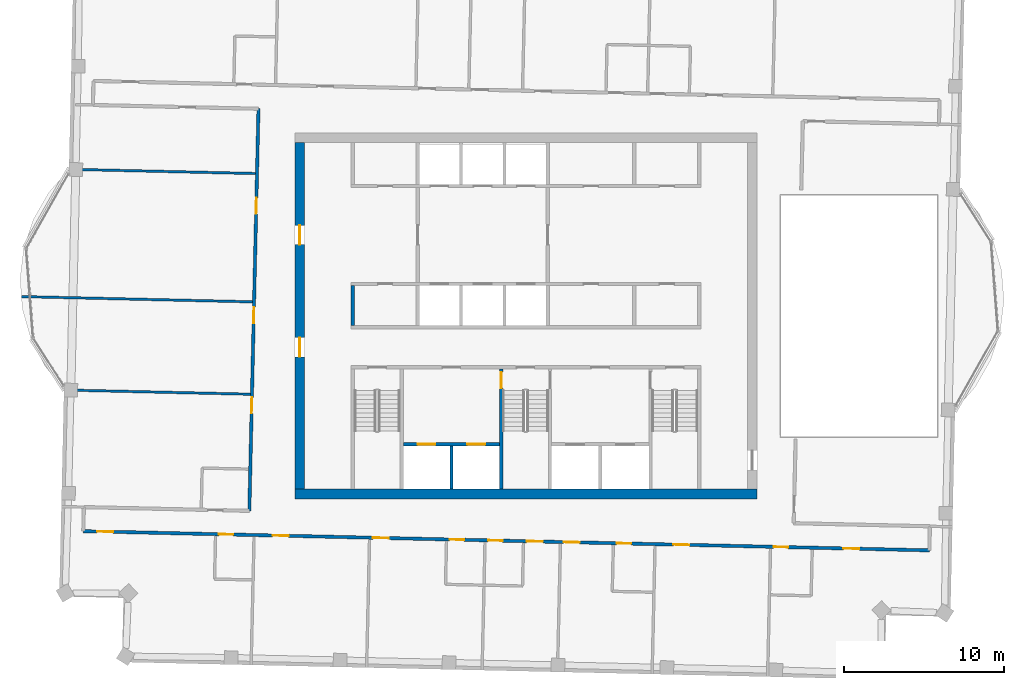
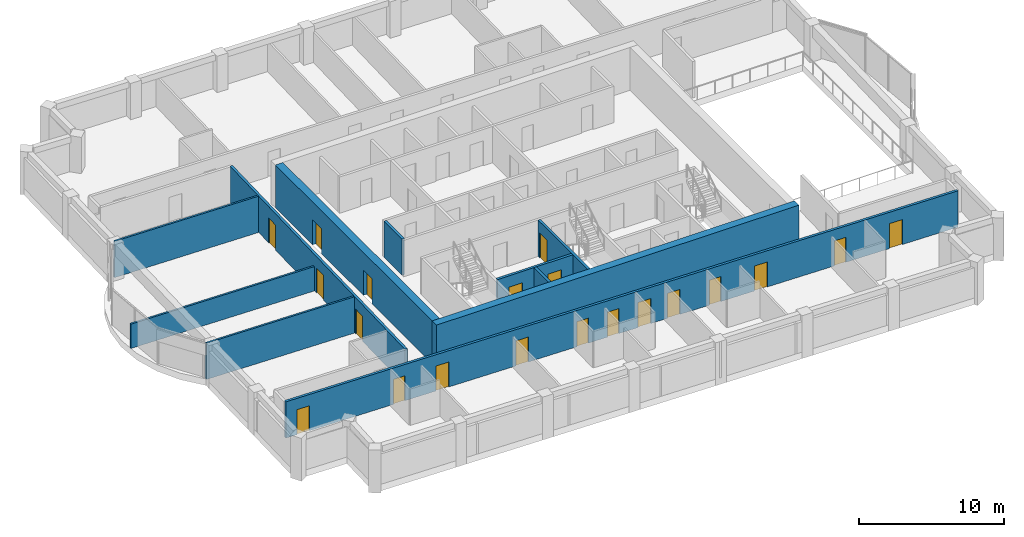
# One storey, part 6 of 11: 20 doors, 11 walls, 20 openings.
"""IFC4 building model written with IfcOpenShell, lengths in metres."""

from ifc_helpers import new_model, si_unit, direction, frame, frame_2d, origin, place, context, subcontext, project, spatial, rectangle, extrude, material, layer, layer_set, type_object, element, fill, save


model = new_model("IFC4")

# Units and contexts
model_context = context("Model", 3, precision=1e-05, world=origin(), true_north=direction((0.0, 1.0)))
body_context = subcontext(model_context, "Body", "Model", "MODEL_VIEW")
ifc_project = project(units=[si_unit("LENGTHUNIT", "METRE"), si_unit("AREAUNIT", "SQUARE_METRE"), si_unit("VOLUMEUNIT", "CUBIC_METRE"), si_unit("PLANEANGLEUNIT", "RADIAN"), si_unit("MASSUNIT", "GRAM", prefix="KILO")], contexts=[model_context])

# Site, building, storey
site_placement = place(None, origin())
site = spatial("IfcSite", under=ifc_project, at=site_placement, CompositionType="ELEMENT")
building_placement = place(site_placement, origin())
building = spatial("IfcBuilding", under=site, at=building_placement, Name="Mangrove Gate Tower", CompositionType="ELEMENT")
storey_placement = place(building_placement, frame((0.0, 0.0, 334.300048828125)))
storey = spatial("IfcBuildingStorey", under=building, at=storey_placement, Name="L85", CompositionType="ELEMENT", Elevation=334.300048828125)

# Wall
ifc_material_1 = material(Name="Concrete C32/40", Category="concrete")
ifc_layer_1 = layer(ifc_material_1, 0.199951171875)
ifc_layer_set_1 = layer_set([ifc_layer_1], Name="Core room wall 200 C32/40")
wall_type_1 = type_object("IfcWallType", Name="Core room wall 200 C32/40", PredefinedType="STANDARD", material=ifc_layer_set_1)
wall_1_placement = place(storey_placement, frame((-10.800048828125, -0.60009765625, 0.0), z_axis=(0.0, 0.0, 1.0), x_axis=(0.0, 1.0, 0.0)))
element("IfcWall", 1, at=wall_1_placement, inside=storey, type_object=wall_type_1, Name="WALL-L85-CORE-19", PredefinedType="STANDARD", context=body_context, shape_type="SweptSolid", body=[
    extrude(rectangle(XDim=2.5, YDim=0.199951171875, at=frame_2d((1.25, 0.0))), origin(), (0.0, 0.0, 1.0), 3.050048828125),
])

# Wall, openings, doors
ifc_material_2 = material(Name="Concrete C50/60", Category="concrete")
ifc_layer_2 = layer(ifc_material_2, 0.199951171875)
ifc_layer_set_2 = layer_set([ifc_layer_2], Name="Core shaft wall 200 C50/60")
wall_type_2 = type_object("IfcWallType", Name="Core shaft wall 200 C50/60", PredefinedType="SHEAR", material=ifc_layer_set_2)
wall_2_placement = place(storey_placement, frame((-7.64990234375, -8.0, 0.0), z_axis=(0.0, 0.0, 1.0), x_axis=(1.0, 0.0, 0.0)))
wall_2 = element("IfcWall", 2, at=wall_2_placement, inside=storey, type_object=wall_type_2, Name="WALL-L85-CORE-15", PredefinedType="SHEAR", context=body_context, shape_type="SweptSolid", body=[
    extrude(rectangle(XDim=6.0, YDim=0.199951171875, at=frame_2d((3.0, 0.0))), origin(), (0.0, 0.0, 1.0), 3.050048828125),
])
opening_1_placement = place(wall_2_placement, frame((0.89990234375, 0.0, 0.0)))
opening_1 = element("IfcOpeningElement", 3, at=opening_1_placement, cuts=wall_2, Name="Opening LD", PredefinedType="OPENING", context=body_context, shape_type="SweptSolid", body=[
    extrude(rectangle(XDim=1.10009765625, YDim=2.10009765625, at=frame_2d((0.550048828125, 1.050048828125))), frame((0.0, 0.10986328125, 0.0), z_axis=(0.0, -1.0, 0.0), x_axis=(1.0, 0.0, 0.0)), (0.0, 0.0, 1.0), 0.219970703125),
])
opening_2_placement = place(wall_2_placement, frame((4.0, 0.0, 0.0)))
opening_2 = element("IfcOpeningElement", 4, at=opening_2_placement, cuts=wall_2, Name="Opening LD", PredefinedType="OPENING", context=body_context, shape_type="SweptSolid", body=[
    extrude(rectangle(XDim=1.10009765625, YDim=2.10009765625, at=frame_2d((0.550048828125, 1.050048828125))), frame((0.0, 0.10986328125, 0.0), z_axis=(0.0, -1.0, 0.0), x_axis=(1.0, 0.0, 0.0)), (0.0, 0.0, 1.0), 0.219970703125),
])
ifc_material_3 = material(Name="Stainless steel 316", Category="steel")
door_type_1 = type_object("IfcDoorType", Name="Lift landing door 1100x2100", OperationType="SLIDING_TO_LEFT", PredefinedType="DOOR", material=ifc_material_3)
door_1_placement = place(opening_1_placement, origin())
door_1 = element("IfcDoor", 5, at=door_1_placement, inside=storey, type_object=door_type_1, Name="Landing door LD SVL1", OperationType="SLIDING_TO_LEFT", OverallHeight=2.10009765625, OverallWidth=1.10009765625, PredefinedType="DOOR", context=body_context, shape_type="SweptSolid", body=[
    extrude(rectangle(XDim=1.10009765625, YDim=2.10009765625, at=frame_2d((0.550048828125, 1.050048828125))), frame((0.0, 0.02490234375, 0.0), z_axis=(0.0, -1.0, 0.0), x_axis=(1.0, 0.0, 0.0)), (0.0, 0.0, 1.0), 0.050048828125),
])
fill(opening_1, door_1)
door_2_placement = place(opening_2_placement, origin())
door_2 = element("IfcDoor", 6, at=door_2_placement, inside=storey, type_object=door_type_1, Name="Landing door LD SVL2", OperationType="SLIDING_TO_LEFT", OverallHeight=2.10009765625, OverallWidth=1.10009765625, PredefinedType="DOOR", context=body_context, shape_type="SweptSolid", body=[
    extrude(rectangle(XDim=1.10009765625, YDim=2.10009765625, at=frame_2d((0.550048828125, 1.050048828125))), frame((0.0, 0.02490234375, 0.0), z_axis=(0.0, -1.0, 0.0), x_axis=(1.0, 0.0, 0.0)), (0.0, 0.0, 1.0), 0.050048828125),
])
fill(opening_2, door_2)

# Wall
wall_3_placement = place(storey_placement, frame((-4.64990234375, -10.800048828125, 0.0), z_axis=(0.0, 0.0, 1.0), x_axis=(0.0, 1.0, 0.0)))
element("IfcWall", 7, at=wall_3_placement, inside=storey, type_object=wall_type_2, Name="WALL-L85-CORE-16", PredefinedType="SHEAR", context=body_context, shape_type="SweptSolid", body=[
    extrude(rectangle(XDim=2.699951171875, YDim=0.199951171875, at=frame_2d((1.35009765625, 0.0))), origin(), (0.0, 0.0, 1.0), 3.050048828125),
])

# Wall, opening, door
ifc_material_4 = material(Name="Concrete C50/60", Category="concrete")
ifc_layer_3 = layer(ifc_material_4, 0.199951171875)
ifc_layer_set_3 = layer_set([ifc_layer_3], Name="Core stair wall 200 C50/60")
wall_type_3 = type_object("IfcWallType", Name="Core stair wall 200 C50/60", PredefinedType="SHEAR", material=ifc_layer_set_3)
wall_4_placement = place(storey_placement, frame((-1.550048828125, -10.800048828125, 0.0), z_axis=(0.0, 0.0, 1.0), x_axis=(0.0, 1.0, 0.0)))
wall_4 = element("IfcWall", 8, at=wall_4_placement, inside=storey, type_object=wall_type_3, Name="WALL-L85-CORE-11", PredefinedType="SHEAR", context=body_context, shape_type="SweptSolid", body=[
    extrude(rectangle(XDim=7.5, YDim=0.199951171875, at=frame_2d((3.75, 0.0))), origin(), (0.0, 0.0, 1.0), 3.050048828125),
])
opening_3_placement = place(wall_4_placement, frame((6.300048828125, 0.0, 0.0)))
opening_3 = element("IfcOpeningElement", 9, at=opening_3_placement, cuts=wall_4, Name="Opening STD10", PredefinedType="OPENING", context=body_context, shape_type="SweptSolid", body=[
    extrude(rectangle(XDim=1.0, YDim=2.10009765625, at=frame_2d((0.5, 1.050048828125))), frame((0.0, 0.10986328125, 0.0), z_axis=(0.0, -1.0, 0.0), x_axis=(1.0, 0.0, 0.0)), (0.0, 0.0, 1.0), 0.219970703125),
])
ifc_material_5 = material(Name="Fire-rated steel door set", Category="steel")
door_type_2 = type_object("IfcDoorType", Name="Stair door FD60 1000x2100", OperationType="SINGLE_SWING_RIGHT", PredefinedType="DOOR", material=ifc_material_5)
door_3_placement = place(opening_3_placement, origin())
door_3 = element("IfcDoor", 10, at=door_3_placement, inside=storey, type_object=door_type_2, Name="Stair door Stair 2 from service lobby", OperationType="SINGLE_SWING_RIGHT", OverallHeight=2.10009765625, OverallWidth=1.0, PredefinedType="DOOR", context=body_context, shape_type="SweptSolid", body=[
    extrude(rectangle(XDim=1.0, YDim=2.10009765625, at=frame_2d((0.5, 1.050048828125))), frame((0.0, 0.02490234375, 0.0), z_axis=(0.0, -1.0, 0.0), x_axis=(1.0, 0.0, 0.0)), (0.0, 0.0, 1.0), 0.050048828125),
])
fill(opening_3, door_3)

# Wall
ifc_material_6 = material(Name="Concrete C50/60", Category="concrete")
ifc_layer_4 = layer(ifc_material_6, 0.60009765625)
ifc_layer_set_4 = layer_set([ifc_layer_4], Name="Core wall 600 C50/60")
wall_type_4 = type_object("IfcWallType", Name="Core wall 600 C50/60", PredefinedType="SHEAR", material=ifc_layer_set_4)
wall_5_placement = place(storey_placement, frame((-14.39990234375, -11.10009765625, 0.0), z_axis=(0.0, 0.0, 1.0), x_axis=(1.0, 0.0, 0.0)))
element("IfcWall", 11, at=wall_5_placement, inside=storey, type_object=wall_type_4, Name="WALL-L85-CORE-1", PredefinedType="SHEAR", context=body_context, shape_type="SweptSolid", body=[
    extrude(rectangle(XDim=28.7998046875, YDim=0.60009765625, at=frame_2d((14.39990234375, 0.0))), origin(), (0.0, 0.0, 1.0), 3.599853515625),
])

# Wall, openings, doors
wall_6_placement = place(storey_placement, frame((-14.10009765625, -10.800048828125, 0.0), z_axis=(0.0, 0.0, 1.0), x_axis=(0.0, 1.0, 0.0)))
wall_6 = element("IfcWall", 12, at=wall_6_placement, inside=storey, type_object=wall_type_4, Name="WALL-L85-CORE-3", PredefinedType="SHEAR", context=body_context, shape_type="SweptSolid", body=[
    extrude(rectangle(XDim=21.60009765625, YDim=0.60009765625, at=frame_2d((10.800048828125, 0.0))), origin(), (0.0, 0.0, 1.0), 3.599853515625),
])
opening_4_placement = place(wall_6_placement, frame((8.25, 0.0, 0.0)))
opening_4 = element("IfcOpeningElement", 13, at=opening_4_placement, cuts=wall_6, Name="Opening CD", PredefinedType="OPENING", context=body_context, shape_type="SweptSolid", body=[
    extrude(rectangle(XDim=1.199951171875, YDim=2.10009765625, at=frame_2d((0.60009765625, 1.050048828125))), frame((0.0, 0.31005859375, 0.0), z_axis=(0.0, -1.0, 0.0), x_axis=(1.0, 0.0, 0.0)), (0.0, 0.0, 1.0), 0.6201171875),
])
opening_5_placement = place(wall_6_placement, frame((15.25, 0.0, 0.0)))
opening_5 = element("IfcOpeningElement", 14, at=opening_5_placement, cuts=wall_6, Name="Opening CD", PredefinedType="OPENING", context=body_context, shape_type="SweptSolid", body=[
    extrude(rectangle(XDim=1.199951171875, YDim=2.10009765625, at=frame_2d((0.60009765625, 1.050048828125))), frame((0.0, 0.31005859375, 0.0), z_axis=(0.0, -1.0, 0.0), x_axis=(1.0, 0.0, 0.0)), (0.0, 0.0, 1.0), 0.6201171875),
])
ifc_material_7 = material(Name="Fire-rated steel door set", Category="steel")
door_type_3 = type_object("IfcDoorType", Name="Core ring door FD60 1200x2100", OperationType="DOUBLE_DOOR_SINGLE_SWING", PredefinedType="DOOR", material=ifc_material_7)
door_4_placement = place(opening_4_placement, origin())
door_4 = element("IfcDoor", 15, at=door_4_placement, inside=storey, type_object=door_type_3, Name="Core ring door W1", OperationType="DOUBLE_DOOR_SINGLE_SWING", OverallHeight=2.10009765625, OverallWidth=1.199951171875, PredefinedType="DOOR", context=body_context, shape_type="SweptSolid", body=[
    extrude(rectangle(XDim=1.199951171875, YDim=2.10009765625, at=frame_2d((0.60009765625, 1.050048828125))), frame((0.0, 0.02490234375, 0.0), z_axis=(0.0, -1.0, 0.0), x_axis=(1.0, 0.0, 0.0)), (0.0, 0.0, 1.0), 0.050048828125),
])
fill(opening_4, door_4)
door_5_placement = place(opening_5_placement, origin())
door_5 = element("IfcDoor", 16, at=door_5_placement, inside=storey, type_object=door_type_3, Name="Core ring door W2", OperationType="DOUBLE_DOOR_SINGLE_SWING", OverallHeight=2.10009765625, OverallWidth=1.199951171875, PredefinedType="DOOR", context=body_context, shape_type="SweptSolid", body=[
    extrude(rectangle(XDim=1.199951171875, YDim=2.10009765625, at=frame_2d((0.60009765625, 1.050048828125))), frame((0.0, 0.02490234375, 0.0), z_axis=(0.0, -1.0, 0.0), x_axis=(1.0, 0.0, 0.0)), (0.0, 0.0, 1.0), 0.050048828125),
])
fill(opening_5, door_5)

ifc_material_8 = material(Name="Gypsum board on steel stud, EI 60", Category="steel")
ifc_layer_5 = layer(ifc_material_8, 0.199951171875)
ifc_layer_set_5 = layer_set([ifc_layer_5], Name="Corridor wall EI 60")
wall_type_5 = type_object("IfcWallType", Name="Corridor wall EI 60", PredefinedType="PARTITIONING", material=ifc_layer_set_5)
wall_7_placement = place(storey_placement, frame((-27.597900390625, -13.4140625, 0.0), z_axis=(0.0, 0.0, 1.0), x_axis=(0.999742489831, -0.022692598482, 0.0)))
wall_7 = element("IfcWall", 17, at=wall_7_placement, inside=storey, type_object=wall_type_5, Name="WALL-L85-016", PredefinedType="PARTITIONING", context=body_context, shape_type="SweptSolid", body=[
    extrude(rectangle(XDim=52.74951171875, YDim=0.199951171875, at=frame_2d((26.374755859375, 0.0))), origin(), (0.0, 0.0, 1.0), 3.050048828125),
])
opening_6_placement = place(wall_7_placement, frame((0.8701171875, 0.0, 0.0)))
opening_6 = element("IfcOpeningElement", 18, at=opening_6_placement, cuts=wall_7, Name="Opening AD", PredefinedType="OPENING", context=body_context, shape_type="SweptSolid", body=[
    extrude(rectangle(XDim=1.0, YDim=2.10009765625, at=frame_2d((0.5, 1.050048828125))), frame((0.0, 0.10986328125, 0.0), z_axis=(0.0, -1.0, 0.0), x_axis=(1.0, 0.0, 0.0)), (0.0, 0.0, 1.0), 0.219970703125),
])
opening_7_placement = place(wall_7_placement, frame((8.449951171875, 0.0, 0.0)))
opening_7 = element("IfcOpeningElement", 19, at=opening_7_placement, cuts=wall_7, Name="Opening SD", PredefinedType="OPENING", context=body_context, shape_type="SweptSolid", body=[
    extrude(rectangle(XDim=0.89990234375, YDim=2.10009765625, at=frame_2d((0.449951171875, 1.050048828125))), frame((0.0, 0.10986328125, 0.0), z_axis=(0.0, -1.0, 0.0), x_axis=(1.0, 0.0, 0.0)), (0.0, 0.0, 1.0), 0.219970703125),
])
opening_8_placement = place(wall_7_placement, frame((11.798095703125, 0.0, 0.0)))
opening_8 = element("IfcOpeningElement", 20, at=opening_8_placement, cuts=wall_7, Name="Opening AD", PredefinedType="OPENING", context=body_context, shape_type="SweptSolid", body=[
    extrude(rectangle(XDim=1.0, YDim=2.10009765625, at=frame_2d((0.5, 1.050048828125))), frame((0.0, 0.10986328125, 0.0), z_axis=(0.0, -1.0, 0.0), x_axis=(1.0, 0.0, 0.0)), (0.0, 0.0, 1.0), 0.219970703125),
])
opening_9_placement = place(wall_7_placement, frame((18.050048828125, 0.0, 0.0)))
opening_9 = element("IfcOpeningElement", 21, at=opening_9_placement, cuts=wall_7, Name="Opening AD", PredefinedType="OPENING", context=body_context, shape_type="SweptSolid", body=[
    extrude(rectangle(XDim=1.0, YDim=2.10009765625, at=frame_2d((0.5, 1.050048828125))), frame((0.0, 0.10986328125, 0.0), z_axis=(0.0, -1.0, 0.0), x_axis=(1.0, 0.0, 0.0)), (0.0, 0.0, 1.0), 0.219970703125),
])
opening_10_placement = place(wall_7_placement, frame((22.85009765625, 0.0, 0.0)))
opening_10 = element("IfcOpeningElement", 22, at=opening_10_placement, cuts=wall_7, Name="Opening SD", PredefinedType="OPENING", context=body_context, shape_type="SweptSolid", body=[
    extrude(rectangle(XDim=0.89990234375, YDim=2.10009765625, at=frame_2d((0.449951171875, 1.050048828125))), frame((0.0, 0.10986328125, 0.0), z_axis=(0.0, -1.0, 0.0), x_axis=(1.0, 0.0, 0.0)), (0.0, 0.0, 1.0), 0.219970703125),
])
opening_11_placement = place(wall_7_placement, frame((27.64990234375, 0.0, 0.0)))
opening_11 = element("IfcOpeningElement", 23, at=opening_11_placement, cuts=wall_7, Name="Opening AD", PredefinedType="OPENING", context=body_context, shape_type="SweptSolid", body=[
    extrude(rectangle(XDim=1.0, YDim=2.10009765625, at=frame_2d((0.5, 1.050048828125))), frame((0.0, 0.10986328125, 0.0), z_axis=(0.0, -1.0, 0.0), x_axis=(1.0, 0.0, 0.0)), (0.0, 0.0, 1.0), 0.219970703125),
])
opening_12_placement = place(wall_7_placement, frame((25.25, 0.0, 0.0)))
opening_12 = element("IfcOpeningElement", 24, at=opening_12_placement, cuts=wall_7, Name="Opening SD", PredefinedType="OPENING", context=body_context, shape_type="SweptSolid", body=[
    extrude(rectangle(XDim=0.89990234375, YDim=2.10009765625, at=frame_2d((0.449951171875, 1.050048828125))), frame((0.0, 0.10986328125, 0.0), z_axis=(0.0, -1.0, 0.0), x_axis=(1.0, 0.0, 0.0)), (0.0, 0.0, 1.0), 0.219970703125),
])
opening_13_placement = place(wall_7_placement, frame((29.949951171875, 0.0, 0.0)))
opening_13 = element("IfcOpeningElement", 25, at=opening_13_placement, cuts=wall_7, Name="Opening AD", PredefinedType="OPENING", context=body_context, shape_type="SweptSolid", body=[
    extrude(rectangle(XDim=1.0, YDim=2.10009765625, at=frame_2d((0.5, 1.050048828125))), frame((0.0, 0.10986328125, 0.0), z_axis=(0.0, -1.0, 0.0), x_axis=(1.0, 0.0, 0.0)), (0.0, 0.0, 1.0), 0.219970703125),
])
opening_14_placement = place(wall_7_placement, frame((33.25, 0.0, 0.0)))
opening_14 = element("IfcOpeningElement", 26, at=opening_14_placement, cuts=wall_7, Name="Opening SD", PredefinedType="OPENING", context=body_context, shape_type="SweptSolid", body=[
    extrude(rectangle(XDim=0.89990234375, YDim=2.10009765625, at=frame_2d((0.449951171875, 1.050048828125))), frame((0.0, 0.10986328125, 0.0), z_axis=(0.0, -1.0, 0.0), x_axis=(1.0, 0.0, 0.0)), (0.0, 0.0, 1.0), 0.219970703125),
])
opening_15_placement = place(wall_7_placement, frame((36.791015625, 0.0, 0.0)))
opening_15 = element("IfcOpeningElement", 27, at=opening_15_placement, cuts=wall_7, Name="Opening AD", PredefinedType="OPENING", context=body_context, shape_type="SweptSolid", body=[
    extrude(rectangle(XDim=1.0, YDim=2.10009765625, at=frame_2d((0.5, 1.050048828125))), frame((0.0, 0.10986328125, 0.0), z_axis=(0.0, -1.0, 0.0), x_axis=(1.0, 0.0, 0.0)), (0.0, 0.0, 1.0), 0.219970703125),
])
opening_16_placement = place(wall_7_placement, frame((47.388916015625, 0.0, 0.0)))
opening_16 = element("IfcOpeningElement", 28, at=opening_16_placement, cuts=wall_7, Name="Opening AD", PredefinedType="OPENING", context=body_context, shape_type="SweptSolid", body=[
    extrude(rectangle(XDim=1.0, YDim=2.10009765625, at=frame_2d((0.5, 1.050048828125))), frame((0.0, 0.10986328125, 0.0), z_axis=(0.0, -1.0, 0.0), x_axis=(1.0, 0.0, 0.0)), (0.0, 0.0, 1.0), 0.219970703125),
])
opening_17_placement = place(wall_7_placement, frame((43.050048828125, 0.0, 0.0)))
opening_17 = element("IfcOpeningElement", 29, at=opening_17_placement, cuts=wall_7, Name="Opening SD", PredefinedType="OPENING", context=body_context, shape_type="SweptSolid", body=[
    extrude(rectangle(XDim=0.89990234375, YDim=2.10009765625, at=frame_2d((0.449951171875, 1.050048828125))), frame((0.0, 0.10986328125, 0.0), z_axis=(0.0, -1.0, 0.0), x_axis=(1.0, 0.0, 0.0)), (0.0, 0.0, 1.0), 0.219970703125),
])
ifc_material_9 = material(Name="Timber door leaf", Category="wood")
door_type_4 = type_object("IfcDoorType", Name="Amenity door 1000", OperationType="SINGLE_SWING_LEFT", PredefinedType="DOOR", material=ifc_material_9)
door_6_placement = place(opening_6_placement, origin())
door_6 = element("IfcDoor", 30, at=door_6_placement, inside=storey, type_object=door_type_4, Name="DOOR-L85-LNG-c1a", OperationType="SINGLE_SWING_LEFT", OverallHeight=2.10009765625, OverallWidth=1.0, PredefinedType="DOOR", context=body_context, shape_type="SweptSolid", body=[
    extrude(rectangle(XDim=1.0, YDim=2.10009765625, at=frame_2d((0.5, 1.050048828125))), frame((0.0, 0.02490234375, 0.0), z_axis=(0.0, -1.0, 0.0), x_axis=(1.0, 0.0, 0.0)), (0.0, 0.0, 1.0), 0.050048828125),
])
fill(opening_6, door_6)
door_7_placement = place(opening_8_placement, origin())
door_7 = element("IfcDoor", 31, at=door_7_placement, inside=storey, type_object=door_type_4, Name="DOOR-L85-GAM-c1a", OperationType="SINGLE_SWING_RIGHT", OverallHeight=2.10009765625, OverallWidth=1.0, PredefinedType="DOOR", context=body_context, shape_type="SweptSolid", body=[
    extrude(rectangle(XDim=1.0, YDim=2.10009765625, at=frame_2d((0.5, 1.050048828125))), frame((0.0, 0.02490234375, 0.0), z_axis=(0.0, -1.0, 0.0), x_axis=(1.0, 0.0, 0.0)), (0.0, 0.0, 1.0), 0.050048828125),
])
fill(opening_8, door_7)
door_8_placement = place(opening_9_placement, origin())
door_8 = element("IfcDoor", 32, at=door_8_placement, inside=storey, type_object=door_type_4, Name="DOOR-L85-GAM-c1b", OperationType="SINGLE_SWING_LEFT", OverallHeight=2.10009765625, OverallWidth=1.0, PredefinedType="DOOR", context=body_context, shape_type="SweptSolid", body=[
    extrude(rectangle(XDim=1.0, YDim=2.10009765625, at=frame_2d((0.5, 1.050048828125))), frame((0.0, 0.02490234375, 0.0), z_axis=(0.0, -1.0, 0.0), x_axis=(1.0, 0.0, 0.0)), (0.0, 0.0, 1.0), 0.050048828125),
])
fill(opening_9, door_8)
door_9_placement = place(opening_11_placement, origin())
door_9 = element("IfcDoor", 33, at=door_9_placement, inside=storey, type_object=door_type_4, Name="DOOR-L85-STU-c1a", OperationType="SINGLE_SWING_RIGHT", OverallHeight=2.10009765625, OverallWidth=1.0, PredefinedType="DOOR", context=body_context, shape_type="SweptSolid", body=[
    extrude(rectangle(XDim=1.0, YDim=2.10009765625, at=frame_2d((0.5, 1.050048828125))), frame((0.0, 0.02490234375, 0.0), z_axis=(0.0, -1.0, 0.0), x_axis=(1.0, 0.0, 0.0)), (0.0, 0.0, 1.0), 0.050048828125),
])
fill(opening_11, door_9)
door_10_placement = place(opening_13_placement, origin())
door_10 = element("IfcDoor", 34, at=door_10_placement, inside=storey, type_object=door_type_4, Name="DOOR-L85-KIT-c2a", OperationType="SINGLE_SWING_LEFT", OverallHeight=2.10009765625, OverallWidth=1.0, PredefinedType="DOOR", context=body_context, shape_type="SweptSolid", body=[
    extrude(rectangle(XDim=1.0, YDim=2.10009765625, at=frame_2d((0.5, 1.050048828125))), frame((0.0, 0.02490234375, 0.0), z_axis=(0.0, -1.0, 0.0), x_axis=(1.0, 0.0, 0.0)), (0.0, 0.0, 1.0), 0.050048828125),
])
fill(opening_13, door_10)
door_11_placement = place(opening_15_placement, origin())
door_11 = element("IfcDoor", 35, at=door_11_placement, inside=storey, type_object=door_type_4, Name="DOOR-L85-GAM-c2a", OperationType="SINGLE_SWING_RIGHT", OverallHeight=2.10009765625, OverallWidth=1.0, PredefinedType="DOOR", context=body_context, shape_type="SweptSolid", body=[
    extrude(rectangle(XDim=1.0, YDim=2.10009765625, at=frame_2d((0.5, 1.050048828125))), frame((0.0, 0.02490234375, 0.0), z_axis=(0.0, -1.0, 0.0), x_axis=(1.0, 0.0, 0.0)), (0.0, 0.0, 1.0), 0.050048828125),
])
fill(opening_15, door_11)
door_12_placement = place(opening_16_placement, origin())
door_12 = element("IfcDoor", 36, at=door_12_placement, inside=storey, type_object=door_type_4, Name="DOOR-L85-GAM-c2b", OperationType="SINGLE_SWING_LEFT", OverallHeight=2.10009765625, OverallWidth=1.0, PredefinedType="DOOR", context=body_context, shape_type="SweptSolid", body=[
    extrude(rectangle(XDim=1.0, YDim=2.10009765625, at=frame_2d((0.5, 1.050048828125))), frame((0.0, 0.02490234375, 0.0), z_axis=(0.0, -1.0, 0.0), x_axis=(1.0, 0.0, 0.0)), (0.0, 0.0, 1.0), 0.050048828125),
])
fill(opening_16, door_12)
ifc_material_10 = material(Name="Timber door leaf", Category="wood")
door_type_5 = type_object("IfcDoorType", Name="Service room door 900", OperationType="SINGLE_SWING_LEFT", PredefinedType="DOOR", material=ifc_material_10)
door_13_placement = place(opening_7_placement, origin())
door_13 = element("IfcDoor", 37, at=door_13_placement, inside=storey, type_object=door_type_5, Name="DOOR-L85-WC-c1a", OperationType="SINGLE_SWING_LEFT", OverallHeight=2.10009765625, OverallWidth=0.89990234375, PredefinedType="DOOR", context=body_context, shape_type="SweptSolid", body=[
    extrude(rectangle(XDim=0.89990234375, YDim=2.10009765625, at=frame_2d((0.449951171875, 1.050048828125))), frame((0.0, 0.02490234375, 0.0), z_axis=(0.0, -1.0, 0.0), x_axis=(1.0, 0.0, 0.0)), (0.0, 0.0, 1.0), 0.050048828125),
])
fill(opening_7, door_13)
door_14_placement = place(opening_10_placement, origin())
door_14 = element("IfcDoor", 38, at=door_14_placement, inside=storey, type_object=door_type_5, Name="DOOR-L85-WC-c1b", OperationType="SINGLE_SWING_RIGHT", OverallHeight=2.10009765625, OverallWidth=0.89990234375, PredefinedType="DOOR", context=body_context, shape_type="SweptSolid", body=[
    extrude(rectangle(XDim=0.89990234375, YDim=2.10009765625, at=frame_2d((0.449951171875, 1.050048828125))), frame((0.0, 0.02490234375, 0.0), z_axis=(0.0, -1.0, 0.0), x_axis=(1.0, 0.0, 0.0)), (0.0, 0.0, 1.0), 0.050048828125),
])
fill(opening_10, door_14)
door_15_placement = place(opening_12_placement, origin())
door_15 = element("IfcDoor", 39, at=door_15_placement, inside=storey, type_object=door_type_5, Name="DOOR-L85-WC-c1c", OperationType="SINGLE_SWING_LEFT", OverallHeight=2.10009765625, OverallWidth=0.89990234375, PredefinedType="DOOR", context=body_context, shape_type="SweptSolid", body=[
    extrude(rectangle(XDim=0.89990234375, YDim=2.10009765625, at=frame_2d((0.449951171875, 1.050048828125))), frame((0.0, 0.02490234375, 0.0), z_axis=(0.0, -1.0, 0.0), x_axis=(1.0, 0.0, 0.0)), (0.0, 0.0, 1.0), 0.050048828125),
])
fill(opening_12, door_15)
door_16_placement = place(opening_14_placement, origin())
door_16 = element("IfcDoor", 40, at=door_16_placement, inside=storey, type_object=door_type_5, Name="DOOR-L85-AWC-c2a", OperationType="SINGLE_SWING_RIGHT", OverallHeight=2.10009765625, OverallWidth=0.89990234375, PredefinedType="DOOR", context=body_context, shape_type="SweptSolid", body=[
    extrude(rectangle(XDim=0.89990234375, YDim=2.10009765625, at=frame_2d((0.449951171875, 1.050048828125))), frame((0.0, 0.02490234375, 0.0), z_axis=(0.0, -1.0, 0.0), x_axis=(1.0, 0.0, 0.0)), (0.0, 0.0, 1.0), 0.050048828125),
])
fill(opening_14, door_16)
door_17_placement = place(opening_17_placement, origin())
door_17 = element("IfcDoor", 41, at=door_17_placement, inside=storey, type_object=door_type_5, Name="DOOR-L85-AWC-c2b", OperationType="SINGLE_SWING_LEFT", OverallHeight=2.10009765625, OverallWidth=0.89990234375, PredefinedType="DOOR", context=body_context, shape_type="SweptSolid", body=[
    extrude(rectangle(XDim=0.89990234375, YDim=2.10009765625, at=frame_2d((0.449951171875, 1.050048828125))), frame((0.0, 0.02490234375, 0.0), z_axis=(0.0, -1.0, 0.0), x_axis=(1.0, 0.0, 0.0)), (0.0, 0.0, 1.0), 0.050048828125),
])
fill(opening_17, door_17)

wall_8_placement = place(storey_placement, frame((-17.2470703125, -12.14892578125, 0.0), z_axis=(0.0, 0.0, 1.0), x_axis=(0.022696191528, 0.999742408268, 0.0)))
wall_8 = element("IfcWall", 42, at=wall_8_placement, inside=storey, type_object=wall_type_5, Name="WALL-L85-022", PredefinedType="PARTITIONING", context=body_context, shape_type="SweptSolid", body=[
    extrude(rectangle(XDim=25.07421875, YDim=0.199951171875, at=frame_2d((12.537109375, 0.0))), origin(), (0.0, 0.0, 1.0), 3.050048828125),
])
opening_18_placement = place(wall_8_placement, frame((18.52197265625, 0.0, 0.0)))
opening_18 = element("IfcOpeningElement", 43, at=opening_18_placement, cuts=wall_8, Name="Opening AD", PredefinedType="OPENING", context=body_context, shape_type="SweptSolid", body=[
    extrude(rectangle(XDim=1.0, YDim=2.10009765625, at=frame_2d((0.5, 1.050048828125))), frame((0.0, 0.10986328125, 0.0), z_axis=(0.0, -1.0, 0.0), x_axis=(1.0, 0.0, 0.0)), (0.0, 0.0, 1.0), 0.219970703125),
])
opening_19_placement = place(wall_8_placement, frame((11.698974609375, 0.0, 0.0)))
opening_19 = element("IfcOpeningElement", 44, at=opening_19_placement, cuts=wall_8, Name="Opening AD", PredefinedType="OPENING", context=body_context, shape_type="SweptSolid", body=[
    extrude(rectangle(XDim=1.0, YDim=2.10009765625, at=frame_2d((0.5, 1.050048828125))), frame((0.0, 0.10986328125, 0.0), z_axis=(0.0, -1.0, 0.0), x_axis=(1.0, 0.0, 0.0)), (0.0, 0.0, 1.0), 0.219970703125),
])
opening_20_placement = place(wall_8_placement, frame((6.074951171875, 0.0, 0.0)))
opening_20 = element("IfcOpeningElement", 45, at=opening_20_placement, cuts=wall_8, Name="Opening AD", PredefinedType="OPENING", context=body_context, shape_type="SweptSolid", body=[
    extrude(rectangle(XDim=1.0, YDim=2.10009765625, at=frame_2d((0.5, 1.050048828125))), frame((0.0, 0.10986328125, 0.0), z_axis=(0.0, -1.0, 0.0), x_axis=(1.0, 0.0, 0.0)), (0.0, 0.0, 1.0), 0.219970703125),
])
door_18_placement = place(opening_18_placement, origin())
door_18 = element("IfcDoor", 46, at=door_18_placement, inside=storey, type_object=door_type_4, Name="DOOR-L85-LNG-c5a", OperationType="SINGLE_SWING_RIGHT", OverallHeight=2.10009765625, OverallWidth=1.0, PredefinedType="DOOR", context=body_context, shape_type="SweptSolid", body=[
    extrude(rectangle(XDim=1.0, YDim=2.10009765625, at=frame_2d((0.5, 1.050048828125))), frame((0.0, 0.02490234375, 0.0), z_axis=(0.0, -1.0, 0.0), x_axis=(1.0, 0.0, 0.0)), (0.0, 0.0, 1.0), 0.050048828125),
])
fill(opening_18, door_18)
door_19_placement = place(opening_19_placement, origin())
door_19 = element("IfcDoor", 47, at=door_19_placement, inside=storey, type_object=door_type_4, Name="DOOR-L85-KIT-c5b", OperationType="SINGLE_SWING_LEFT", OverallHeight=2.10009765625, OverallWidth=1.0, PredefinedType="DOOR", context=body_context, shape_type="SweptSolid", body=[
    extrude(rectangle(XDim=1.0, YDim=2.10009765625, at=frame_2d((0.5, 1.050048828125))), frame((0.0, 0.02490234375, 0.0), z_axis=(0.0, -1.0, 0.0), x_axis=(1.0, 0.0, 0.0)), (0.0, 0.0, 1.0), 0.050048828125),
])
fill(opening_19, door_19)
door_20_placement = place(opening_20_placement, origin())
door_20 = element("IfcDoor", 48, at=door_20_placement, inside=storey, type_object=door_type_4, Name="DOOR-L85-LNG-c5b", OperationType="SINGLE_SWING_RIGHT", OverallHeight=2.10009765625, OverallWidth=1.0, PredefinedType="DOOR", context=body_context, shape_type="SweptSolid", body=[
    extrude(rectangle(XDim=1.0, YDim=2.10009765625, at=frame_2d((0.5, 1.050048828125))), frame((0.0, 0.02490234375, 0.0), z_axis=(0.0, -1.0, 0.0), x_axis=(1.0, 0.0, 0.0)), (0.0, 0.0, 1.0), 0.050048828125),
])
fill(opening_20, door_20)

# Walls
ifc_material_11 = material(Name="Gypsum board on steel stud, EI 60", Category="steel")
ifc_layer_6 = layer(ifc_material_11, 0.14990234375)
ifc_layer_set_6 = layer_set([ifc_layer_6], Name="Party wall 150 EI 60")
wall_type_6 = type_object("IfcWallType", Name="Party wall 150 EI 60", PredefinedType="PARTITIONING", material=ifc_layer_set_6)
wall_9_placement = place(storey_placement, frame((-28.799072265625, -4.614990234375, 0.0), z_axis=(0.0, 0.0, 1.0), x_axis=(0.999743903328, -0.022630239893, 0.0)))
element("IfcWall", 49, at=wall_9_placement, inside=storey, type_object=wall_type_6, Name="WALL-L85-027", PredefinedType="PARTITIONING", context=body_context, shape_type="SweptSolid", body=[
    extrude(rectangle(XDim=11.618896484375, YDim=0.14990234375, at=frame_2d((5.8095703125, 0.0))), origin(), (0.0, 0.0, 1.0), 3.050048828125),
])
wall_10_placement = place(storey_placement, frame((-31.455078125, 1.20703125, 0.0), z_axis=(0.0, 0.0, 1.0), x_axis=(0.999742141658, -0.022707932364, 0.0)))
element("IfcWall", 50, at=wall_10_placement, inside=storey, type_object=wall_type_6, Name="WALL-L85-028", PredefinedType="PARTITIONING", context=body_context, shape_type="SweptSolid", body=[
    extrude(rectangle(XDim=14.40673828125, YDim=0.14990234375, at=frame_2d((7.203369140625, 0.0))), origin(), (0.0, 0.0, 1.0), 2.050048828125),
])
wall_11_placement = place(storey_placement, frame((-28.18701171875, 9.135009765625, 0.0), z_axis=(0.0, 0.0, 1.0), x_axis=(0.999742035945, -0.022712586059, 0.0)))
element("IfcWall", 51, at=wall_11_placement, inside=storey, type_object=wall_type_6, Name="WALL-L85-030", PredefinedType="PARTITIONING", context=body_context, shape_type="SweptSolid", body=[
    extrude(rectangle(XDim=11.31884765625, YDim=0.14990234375, at=frame_2d((5.659423828125, 0.0))), origin(), (0.0, 0.0, 1.0), 3.050048828125),
])

save(model, "model.ifc")
